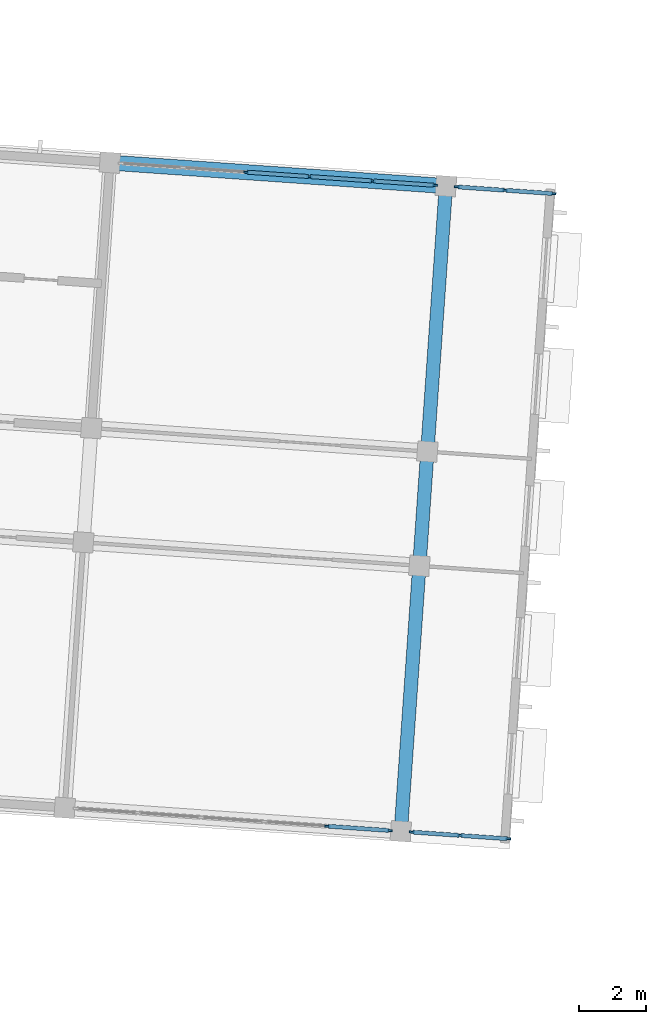
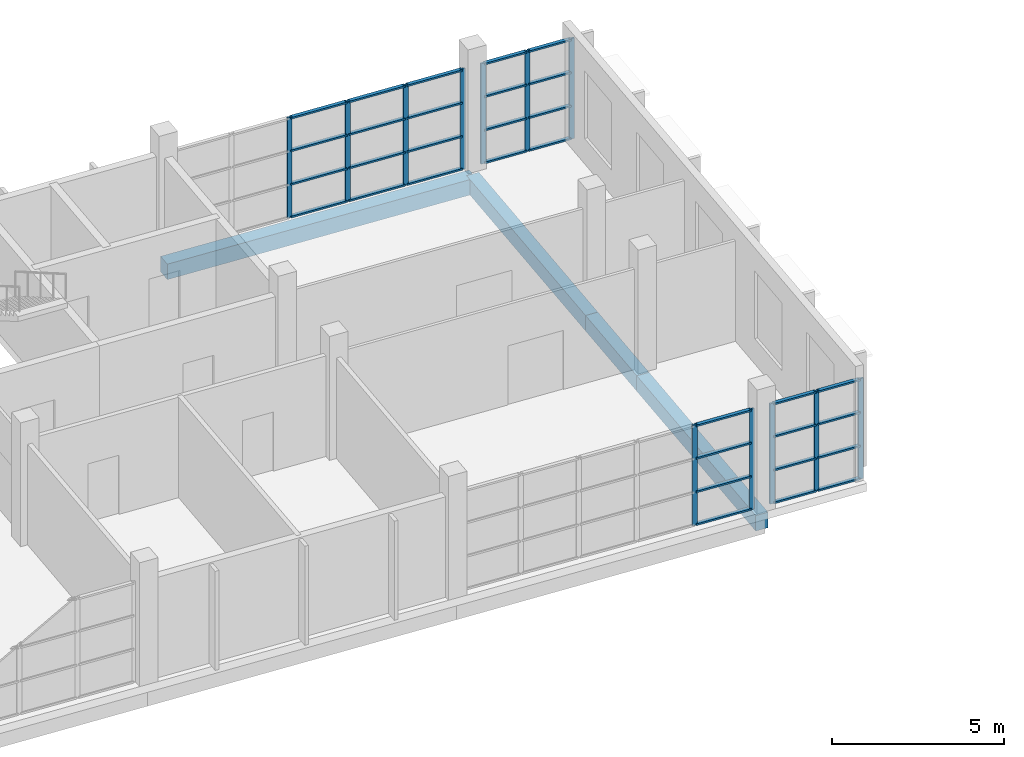
# One storey, part 46 of 115: 44 members, 4 beams, 4 elements without a shape of their own.
"""IFC4 building model written with IfcOpenShell, lengths in metres."""

from ifc_helpers import new_model, si_unit, direction, frame, origin, origin_2d, place, context, subcontext, project, spatial, rectangle, extrude, material, material_profile, profile_set, type_object, element, aggregate, save


model = new_model("IFC4")

# Units and contexts
model_context = context("Model", 3, precision=1e-05, world=origin(), true_north=direction((0.0, 1.0)))
body_context = subcontext(model_context, "Body", "Model", "MODEL_VIEW")
ifc_project = project(units=[si_unit("LENGTHUNIT", "METRE"), si_unit("AREAUNIT", "SQUARE_METRE"), si_unit("VOLUMEUNIT", "CUBIC_METRE"), si_unit("PLANEANGLEUNIT", "RADIAN"), si_unit("MASSUNIT", "GRAM", prefix="KILO")], contexts=[model_context])

# Site, building, storey
site_placement = place(None, origin())
site = spatial("IfcSite", under=ifc_project, at=site_placement, CompositionType="ELEMENT")
building_placement = place(site_placement, origin())
building = spatial("IfcBuilding", under=site, at=building_placement, Name="Windward Yard Aquatics Centre", CompositionType="ELEMENT")
storey_placement = place(building_placement, frame((0.0, 0.0, 5.0)))
storey = spatial("IfcBuildingStorey", under=building, at=storey_placement, Name="L01", CompositionType="ELEMENT", Elevation=5.0)

# Curtain wall, members
ifc_material_1 = material(Name="Aluminium curtain wall system", Category="aluminium")
curtain_wall_type = type_object("IfcCurtainWallType", Name="W curtain wall 1900", PredefinedType="NOTDEFINED", material=ifc_material_1)
curtain_wall_1_placement = place(storey_placement, origin())
curtain_wall_1 = element("IfcCurtainWall", 1, at=curtain_wall_1_placement, inside=storey, type_object=curtain_wall_type, Name="Wing south glazing L01 5", PredefinedType="NOTDEFINED")
ifc_material_2 = material(Name="Aluminium mullion", Category="aluminium")
ifc_material_profile_1 = material_profile(ifc_material_2, rectangle(XDim=0.06005859375, YDim=0.159912109375, at=origin_2d()), Name="AL 60x160")
ifc_profile_set_1 = profile_set([ifc_material_profile_1], Name="Aluminium mullion")
member_type_1 = type_object("IfcMemberType", Name="W CW mullion 60x160", PredefinedType="MULLION", material=ifc_profile_set_1)
member_1_placement = place(storey_placement, frame((165.54248046875, 112.831787109375, 0.0), z_axis=(0.0, 0.0, 1.0), x_axis=(0.069755340111, 0.997564129531, 0.0)))
member_1 = element("IfcMember", 2, at=member_1_placement, type_object=member_type_1, Name="WCW1 mullion 5", PredefinedType="MULLION", context=body_context, shape_type="SweptSolid", body=[
    extrude(rectangle(XDim=0.06005859375, YDim=0.159912109375, at=origin_2d()), origin(), (0.0, 0.0, 1.0), 3.570068359375),
])
member_2_placement = place(storey_placement, frame((167.387939453125, 112.70263671875, 0.0), z_axis=(0.0, 0.0, 1.0), x_axis=(0.069755340111, 0.997564129531, 0.0)))
member_2 = element("IfcMember", 3, at=member_2_placement, type_object=member_type_1, Name="WCW1 mullion 6", PredefinedType="MULLION", context=body_context, shape_type="SweptSolid", body=[
    extrude(rectangle(XDim=0.06005859375, YDim=0.159912109375, at=origin_2d()), origin(), (0.0, 0.0, 1.0), 3.570068359375),
])

curtain_wall_2_placement = place(storey_placement, origin())
curtain_wall_2 = element("IfcCurtainWall", 4, at=curtain_wall_2_placement, inside=storey, type_object=curtain_wall_type, Name="Wing south glazing L01 6", PredefinedType="NOTDEFINED")
member_3_placement = place(storey_placement, frame((168.046142578125, 112.65673828125, 0.0), z_axis=(0.0, 0.0, 1.0), x_axis=(0.069777075501, 0.997562609431, 0.0)))
member_3 = element("IfcMember", 5, at=member_3_placement, type_object=member_type_1, Name="WCW1 mullion 1", PredefinedType="MULLION", context=body_context, shape_type="SweptSolid", body=[
    extrude(rectangle(XDim=0.06005859375, YDim=0.159912109375, at=origin_2d()), origin(), (0.0, 0.0, 1.0), 3.570068359375),
])
member_4_placement = place(storey_placement, frame((169.475341796875, 112.556640625, 0.0), z_axis=(0.0, 0.0, 1.0), x_axis=(0.069777075501, 0.997562609431, 0.0)))
member_4 = element("IfcMember", 6, at=member_4_placement, type_object=member_type_1, Name="WCW1 mullion 2", PredefinedType="MULLION", context=body_context, shape_type="SweptSolid", body=[
    extrude(rectangle(XDim=0.06005859375, YDim=0.159912109375, at=origin_2d()), origin(), (0.0, 0.0, 1.0), 3.570068359375),
])
member_5_placement = place(storey_placement, frame((170.904296875, 112.456787109375, 0.0), z_axis=(0.0, 0.0, 1.0), x_axis=(0.069777075501, 0.997562609431, 0.0)))
member_5 = element("IfcMember", 7, at=member_5_placement, type_object=member_type_1, Name="WCW1 mullion 3", PredefinedType="MULLION", context=body_context, shape_type="SweptSolid", body=[
    extrude(rectangle(XDim=0.06005859375, YDim=0.159912109375, at=origin_2d()), origin(), (0.0, 0.0, 1.0), 3.570068359375),
])

curtain_wall_3_placement = place(storey_placement, origin())
curtain_wall_3 = element("IfcCurtainWall", 8, at=curtain_wall_3_placement, inside=storey, type_object=curtain_wall_type, Name="Wing north glazing L01 5", PredefinedType="NOTDEFINED")
member_6_placement = place(storey_placement, frame((163.130859375, 132.247314453125, 0.0), z_axis=(0.0, 0.0, 1.0), x_axis=(0.069755340111, 0.997564129531, 0.0)))
member_6 = element("IfcMember", 9, at=member_6_placement, type_object=member_type_1, Name="WCW1 mullion 3", PredefinedType="MULLION", context=body_context, shape_type="SweptSolid", body=[
    extrude(rectangle(XDim=0.06005859375, YDim=0.159912109375, at=origin_2d()), origin(), (0.0, 0.0, 1.0), 3.570068359375),
])
member_7_placement = place(storey_placement, frame((165.00634765625, 132.1162109375, 0.0), z_axis=(0.0, 0.0, 1.0), x_axis=(0.069755340111, 0.997564129531, 0.0)))
member_7 = element("IfcMember", 10, at=member_7_placement, type_object=member_type_1, Name="WCW1 mullion 4", PredefinedType="MULLION", context=body_context, shape_type="SweptSolid", body=[
    extrude(rectangle(XDim=0.06005859375, YDim=0.159912109375, at=origin_2d()), origin(), (0.0, 0.0, 1.0), 3.570068359375),
])
member_8_placement = place(storey_placement, frame((166.881591796875, 131.985107421875, 0.0), z_axis=(0.0, 0.0, 1.0), x_axis=(0.069755340111, 0.997564129531, 0.0)))
member_8 = element("IfcMember", 11, at=member_8_placement, type_object=member_type_1, Name="WCW1 mullion 5", PredefinedType="MULLION", context=body_context, shape_type="SweptSolid", body=[
    extrude(rectangle(XDim=0.06005859375, YDim=0.159912109375, at=origin_2d()), origin(), (0.0, 0.0, 1.0), 3.570068359375),
])
member_9_placement = place(storey_placement, frame((168.727294921875, 131.85595703125, 0.0), z_axis=(0.0, 0.0, 1.0), x_axis=(0.069755340111, 0.997564129531, 0.0)))
member_9 = element("IfcMember", 12, at=member_9_placement, type_object=member_type_1, Name="WCW1 mullion 6", PredefinedType="MULLION", context=body_context, shape_type="SweptSolid", body=[
    extrude(rectangle(XDim=0.06005859375, YDim=0.159912109375, at=origin_2d()), origin(), (0.0, 0.0, 1.0), 3.570068359375),
])

curtain_wall_4_placement = place(storey_placement, origin())
curtain_wall_4 = element("IfcCurtainWall", 13, at=curtain_wall_4_placement, inside=storey, type_object=curtain_wall_type, Name="Wing north glazing L01 6", PredefinedType="NOTDEFINED")
member_10_placement = place(storey_placement, frame((169.3857421875, 131.809814453125, 0.0), z_axis=(0.0, 0.0, 1.0), x_axis=(0.069745432765, 0.997564822259, 0.0)))
member_10 = element("IfcMember", 14, at=member_10_placement, type_object=member_type_1, Name="WCW1 mullion 1", PredefinedType="MULLION", context=body_context, shape_type="SweptSolid", body=[
    extrude(rectangle(XDim=0.06005859375, YDim=0.159912109375, at=origin_2d()), origin(), (0.0, 0.0, 1.0), 3.570068359375),
])
member_11_placement = place(storey_placement, frame((170.814697265625, 131.7099609375, 0.0), z_axis=(0.0, 0.0, 1.0), x_axis=(0.069745432765, 0.997564822259, 0.0)))
member_11 = element("IfcMember", 15, at=member_11_placement, type_object=member_type_1, Name="WCW1 mullion 2", PredefinedType="MULLION", context=body_context, shape_type="SweptSolid", body=[
    extrude(rectangle(XDim=0.06005859375, YDim=0.159912109375, at=origin_2d()), origin(), (0.0, 0.0, 1.0), 3.570068359375),
])
member_12_placement = place(storey_placement, frame((172.24365234375, 131.610107421875, 0.0), z_axis=(0.0, 0.0, 1.0), x_axis=(0.069745432765, 0.997564822259, 0.0)))
member_12 = element("IfcMember", 16, at=member_12_placement, type_object=member_type_1, Name="WCW1 mullion 3", PredefinedType="MULLION", context=body_context, shape_type="SweptSolid", body=[
    extrude(rectangle(XDim=0.06005859375, YDim=0.159912109375, at=origin_2d()), origin(), (0.0, 0.0, 1.0), 3.570068359375),
])

# Member
ifc_material_3 = material(Name="Aluminium transom", Category="aluminium")
ifc_material_profile_2 = material_profile(ifc_material_3, rectangle(XDim=0.1201171875, YDim=0.06005859375, at=origin_2d()), Name="AL 120x60")
ifc_profile_set_2 = profile_set([ifc_material_profile_2], Name="Aluminium transom")
member_type_2 = type_object("IfcMemberType", Name="W CW transom 120x60", PredefinedType="USERDEFINED", material=ifc_profile_set_2)
member_13_placement = place(storey_placement, frame((165.572265625, 112.82958984375, 0.030029296875), z_axis=(0.997568269116, -0.069696115056, 0.0), x_axis=(0.069696115056, 0.997568269116, 0.0)))
member_13 = element("IfcMember", 17, at=member_13_placement, type_object=member_type_2, Name="WCW1 transom 5.1", ObjectType="TRANSOM", PredefinedType="USERDEFINED", context=body_context, shape_type="SweptSolid", body=[
    extrude(rectangle(XDim=0.1201171875, YDim=0.06005859375, at=origin_2d()), origin(), (0.0, 0.0, 1.0), 1.7900390625),
])

member_14_placement = place(storey_placement, frame((165.572265625, 112.82958984375, 1.18994140625), z_axis=(0.997568269116, -0.069696115056, 0.0), x_axis=(0.069696115056, 0.997568269116, 0.0)))
member_14 = element("IfcMember", 18, at=member_14_placement, type_object=member_type_2, Name="WCW1 transom 5.2", ObjectType="TRANSOM", PredefinedType="USERDEFINED", context=body_context, shape_type="SweptSolid", body=[
    extrude(rectangle(XDim=0.1201171875, YDim=0.06005859375, at=origin_2d()), origin(), (0.0, 0.0, 1.0), 1.7900390625),
])

member_15_placement = place(storey_placement, frame((165.572265625, 112.82958984375, 2.3798828125), z_axis=(0.997568269116, -0.069696115056, 0.0), x_axis=(0.069696115056, 0.997568269116, 0.0)))
member_15 = element("IfcMember", 19, at=member_15_placement, type_object=member_type_2, Name="WCW1 transom 5.3", ObjectType="TRANSOM", PredefinedType="USERDEFINED", context=body_context, shape_type="SweptSolid", body=[
    extrude(rectangle(XDim=0.1201171875, YDim=0.06005859375, at=origin_2d()), origin(), (0.0, 0.0, 1.0), 1.7900390625),
])

member_16_placement = place(storey_placement, frame((165.572265625, 112.82958984375, 3.5400390625), z_axis=(0.997568269116, -0.069696115056, 0.0), x_axis=(0.069696115056, 0.997568269116, 0.0)))
member_16 = element("IfcMember", 20, at=member_16_placement, type_object=member_type_2, Name="WCW1 transom 5.4", ObjectType="TRANSOM", PredefinedType="USERDEFINED", context=body_context, shape_type="SweptSolid", body=[
    extrude(rectangle(XDim=0.1201171875, YDim=0.06005859375, at=origin_2d()), origin(), (0.0, 0.0, 1.0), 1.7900390625),
])

aggregate(curtain_wall_1, [member_1, member_2, member_13, member_14, member_15, member_16])

member_17_placement = place(storey_placement, frame((168.076171875, 112.654541015625, 0.030029296875), z_axis=(0.997565901215, -0.069729998801, 0.0), x_axis=(0.069729998801, 0.997565901215, 0.0)))
member_17 = element("IfcMember", 21, at=member_17_placement, type_object=member_type_2, Name="WCW1 transom 1.1", ObjectType="TRANSOM", PredefinedType="USERDEFINED", context=body_context, shape_type="SweptSolid", body=[
    extrude(rectangle(XDim=0.1201171875, YDim=0.06005859375, at=origin_2d()), origin(), (0.0, 0.0, 1.0), 1.37255859375),
])

member_18_placement = place(storey_placement, frame((168.076171875, 112.654541015625, 1.18994140625), z_axis=(0.997565901215, -0.069729998801, 0.0), x_axis=(0.069729998801, 0.997565901215, 0.0)))
member_18 = element("IfcMember", 22, at=member_18_placement, type_object=member_type_2, Name="WCW1 transom 1.2", ObjectType="TRANSOM", PredefinedType="USERDEFINED", context=body_context, shape_type="SweptSolid", body=[
    extrude(rectangle(XDim=0.1201171875, YDim=0.06005859375, at=origin_2d()), origin(), (0.0, 0.0, 1.0), 1.37255859375),
])

member_19_placement = place(storey_placement, frame((168.076171875, 112.654541015625, 2.3798828125), z_axis=(0.997565901215, -0.069729998801, 0.0), x_axis=(0.069729998801, 0.997565901215, 0.0)))
member_19 = element("IfcMember", 23, at=member_19_placement, type_object=member_type_2, Name="WCW1 transom 1.3", ObjectType="TRANSOM", PredefinedType="USERDEFINED", context=body_context, shape_type="SweptSolid", body=[
    extrude(rectangle(XDim=0.1201171875, YDim=0.06005859375, at=origin_2d()), origin(), (0.0, 0.0, 1.0), 1.37255859375),
])

member_20_placement = place(storey_placement, frame((168.076171875, 112.654541015625, 3.5400390625), z_axis=(0.997565901215, -0.069729998801, 0.0), x_axis=(0.069729998801, 0.997565901215, 0.0)))
member_20 = element("IfcMember", 24, at=member_20_placement, type_object=member_type_2, Name="WCW1 transom 1.4", ObjectType="TRANSOM", PredefinedType="USERDEFINED", context=body_context, shape_type="SweptSolid", body=[
    extrude(rectangle(XDim=0.1201171875, YDim=0.06005859375, at=origin_2d()), origin(), (0.0, 0.0, 1.0), 1.37255859375),
])

member_21_placement = place(storey_placement, frame((169.505126953125, 112.5546875, 0.030029296875), z_axis=(0.997565901215, -0.069729998801, 0.0), x_axis=(0.069729998801, 0.997565901215, 0.0)))
member_21 = element("IfcMember", 25, at=member_21_placement, type_object=member_type_2, Name="WCW1 transom 2.1", ObjectType="TRANSOM", PredefinedType="USERDEFINED", context=body_context, shape_type="SweptSolid", body=[
    extrude(rectangle(XDim=0.1201171875, YDim=0.06005859375, at=origin_2d()), origin(), (0.0, 0.0, 1.0), 1.37255859375),
])

member_22_placement = place(storey_placement, frame((169.505126953125, 112.5546875, 1.18994140625), z_axis=(0.997565901215, -0.069729998801, 0.0), x_axis=(0.069729998801, 0.997565901215, 0.0)))
member_22 = element("IfcMember", 26, at=member_22_placement, type_object=member_type_2, Name="WCW1 transom 2.2", ObjectType="TRANSOM", PredefinedType="USERDEFINED", context=body_context, shape_type="SweptSolid", body=[
    extrude(rectangle(XDim=0.1201171875, YDim=0.06005859375, at=origin_2d()), origin(), (0.0, 0.0, 1.0), 1.37255859375),
])

member_23_placement = place(storey_placement, frame((169.505126953125, 112.5546875, 2.3798828125), z_axis=(0.997565901215, -0.069729998801, 0.0), x_axis=(0.069729998801, 0.997565901215, 0.0)))
member_23 = element("IfcMember", 27, at=member_23_placement, type_object=member_type_2, Name="WCW1 transom 2.3", ObjectType="TRANSOM", PredefinedType="USERDEFINED", context=body_context, shape_type="SweptSolid", body=[
    extrude(rectangle(XDim=0.1201171875, YDim=0.06005859375, at=origin_2d()), origin(), (0.0, 0.0, 1.0), 1.37255859375),
])

member_24_placement = place(storey_placement, frame((169.505126953125, 112.5546875, 3.5400390625), z_axis=(0.997565901215, -0.069729998801, 0.0), x_axis=(0.069729998801, 0.997565901215, 0.0)))
member_24 = element("IfcMember", 28, at=member_24_placement, type_object=member_type_2, Name="WCW1 transom 2.4", ObjectType="TRANSOM", PredefinedType="USERDEFINED", context=body_context, shape_type="SweptSolid", body=[
    extrude(rectangle(XDim=0.1201171875, YDim=0.06005859375, at=origin_2d()), origin(), (0.0, 0.0, 1.0), 1.37255859375),
])

aggregate(curtain_wall_2, [member_3, member_4, member_5, member_17, member_18, member_19, member_20, member_21, member_22, member_23, member_24])

member_25_placement = place(storey_placement, frame((163.160888671875, 132.2451171875, 0.030029296875), z_axis=(0.997563824095, -0.069759707979, 0.0), x_axis=(0.069759707979, 0.997563824095, 0.0)))
member_25 = element("IfcMember", 29, at=member_25_placement, type_object=member_type_2, Name="WCW1 transom 3.1", ObjectType="TRANSOM", PredefinedType="USERDEFINED", context=body_context, shape_type="SweptSolid", body=[
    extrude(rectangle(XDim=0.1201171875, YDim=0.06005859375, at=origin_2d()), origin(), (0.0, 0.0, 1.0), 1.81982421875),
])

member_26_placement = place(storey_placement, frame((163.160888671875, 132.2451171875, 1.18994140625), z_axis=(0.997563824095, -0.069759707979, 0.0), x_axis=(0.069759707979, 0.997563824095, 0.0)))
member_26 = element("IfcMember", 30, at=member_26_placement, type_object=member_type_2, Name="WCW1 transom 3.2", ObjectType="TRANSOM", PredefinedType="USERDEFINED", context=body_context, shape_type="SweptSolid", body=[
    extrude(rectangle(XDim=0.1201171875, YDim=0.06005859375, at=origin_2d()), origin(), (0.0, 0.0, 1.0), 1.81982421875),
])

member_27_placement = place(storey_placement, frame((163.160888671875, 132.2451171875, 2.3798828125), z_axis=(0.997563824095, -0.069759707979, 0.0), x_axis=(0.069759707979, 0.997563824095, 0.0)))
member_27 = element("IfcMember", 31, at=member_27_placement, type_object=member_type_2, Name="WCW1 transom 3.3", ObjectType="TRANSOM", PredefinedType="USERDEFINED", context=body_context, shape_type="SweptSolid", body=[
    extrude(rectangle(XDim=0.1201171875, YDim=0.06005859375, at=origin_2d()), origin(), (0.0, 0.0, 1.0), 1.81982421875),
])

member_28_placement = place(storey_placement, frame((163.160888671875, 132.2451171875, 3.5400390625), z_axis=(0.997563824095, -0.069759707979, 0.0), x_axis=(0.069759707979, 0.997563824095, 0.0)))
member_28 = element("IfcMember", 32, at=member_28_placement, type_object=member_type_2, Name="WCW1 transom 3.4", ObjectType="TRANSOM", PredefinedType="USERDEFINED", context=body_context, shape_type="SweptSolid", body=[
    extrude(rectangle(XDim=0.1201171875, YDim=0.06005859375, at=origin_2d()), origin(), (0.0, 0.0, 1.0), 1.81982421875),
])

member_29_placement = place(storey_placement, frame((165.0361328125, 132.114013671875, 0.030029296875), z_axis=(0.99756447681, -0.06975037353, 0.0), x_axis=(0.06975037353, 0.99756447681, 0.0)))
member_29 = element("IfcMember", 33, at=member_29_placement, type_object=member_type_2, Name="WCW1 transom 4.1", ObjectType="TRANSOM", PredefinedType="USERDEFINED", context=body_context, shape_type="SweptSolid", body=[
    extrude(rectangle(XDim=0.1201171875, YDim=0.06005859375, at=origin_2d()), origin(), (0.0, 0.0, 1.0), 1.820068359375),
])

member_30_placement = place(storey_placement, frame((165.0361328125, 132.114013671875, 1.18994140625), z_axis=(0.99756447681, -0.06975037353, 0.0), x_axis=(0.06975037353, 0.99756447681, 0.0)))
member_30 = element("IfcMember", 34, at=member_30_placement, type_object=member_type_2, Name="WCW1 transom 4.2", ObjectType="TRANSOM", PredefinedType="USERDEFINED", context=body_context, shape_type="SweptSolid", body=[
    extrude(rectangle(XDim=0.1201171875, YDim=0.06005859375, at=origin_2d()), origin(), (0.0, 0.0, 1.0), 1.820068359375),
])

member_31_placement = place(storey_placement, frame((165.0361328125, 132.114013671875, 2.3798828125), z_axis=(0.99756447681, -0.06975037353, 0.0), x_axis=(0.06975037353, 0.99756447681, 0.0)))
member_31 = element("IfcMember", 35, at=member_31_placement, type_object=member_type_2, Name="WCW1 transom 4.3", ObjectType="TRANSOM", PredefinedType="USERDEFINED", context=body_context, shape_type="SweptSolid", body=[
    extrude(rectangle(XDim=0.1201171875, YDim=0.06005859375, at=origin_2d()), origin(), (0.0, 0.0, 1.0), 1.820068359375),
])

member_32_placement = place(storey_placement, frame((165.0361328125, 132.114013671875, 3.5400390625), z_axis=(0.99756447681, -0.06975037353, 0.0), x_axis=(0.06975037353, 0.99756447681, 0.0)))
member_32 = element("IfcMember", 36, at=member_32_placement, type_object=member_type_2, Name="WCW1 transom 4.4", ObjectType="TRANSOM", PredefinedType="USERDEFINED", context=body_context, shape_type="SweptSolid", body=[
    extrude(rectangle(XDim=0.1201171875, YDim=0.06005859375, at=origin_2d()), origin(), (0.0, 0.0, 1.0), 1.820068359375),
])

member_33_placement = place(storey_placement, frame((166.91162109375, 131.98291015625, 0.030029296875), z_axis=(0.997568269116, -0.069696115056, 0.0), x_axis=(0.069696115056, 0.997568269116, 0.0)))
member_33 = element("IfcMember", 37, at=member_33_placement, type_object=member_type_2, Name="WCW1 transom 5.1", ObjectType="TRANSOM", PredefinedType="USERDEFINED", context=body_context, shape_type="SweptSolid", body=[
    extrude(rectangle(XDim=0.1201171875, YDim=0.06005859375, at=origin_2d()), origin(), (0.0, 0.0, 1.0), 1.7900390625),
])

member_34_placement = place(storey_placement, frame((166.91162109375, 131.98291015625, 1.18994140625), z_axis=(0.997568269116, -0.069696115056, 0.0), x_axis=(0.069696115056, 0.997568269116, 0.0)))
member_34 = element("IfcMember", 38, at=member_34_placement, type_object=member_type_2, Name="WCW1 transom 5.2", ObjectType="TRANSOM", PredefinedType="USERDEFINED", context=body_context, shape_type="SweptSolid", body=[
    extrude(rectangle(XDim=0.1201171875, YDim=0.06005859375, at=origin_2d()), origin(), (0.0, 0.0, 1.0), 1.7900390625),
])

member_35_placement = place(storey_placement, frame((166.91162109375, 131.98291015625, 2.3798828125), z_axis=(0.997568269116, -0.069696115056, 0.0), x_axis=(0.069696115056, 0.997568269116, 0.0)))
member_35 = element("IfcMember", 39, at=member_35_placement, type_object=member_type_2, Name="WCW1 transom 5.3", ObjectType="TRANSOM", PredefinedType="USERDEFINED", context=body_context, shape_type="SweptSolid", body=[
    extrude(rectangle(XDim=0.1201171875, YDim=0.06005859375, at=origin_2d()), origin(), (0.0, 0.0, 1.0), 1.7900390625),
])

member_36_placement = place(storey_placement, frame((166.91162109375, 131.98291015625, 3.5400390625), z_axis=(0.997568269116, -0.069696115056, 0.0), x_axis=(0.069696115056, 0.997568269116, 0.0)))
member_36 = element("IfcMember", 40, at=member_36_placement, type_object=member_type_2, Name="WCW1 transom 5.4", ObjectType="TRANSOM", PredefinedType="USERDEFINED", context=body_context, shape_type="SweptSolid", body=[
    extrude(rectangle(XDim=0.1201171875, YDim=0.06005859375, at=origin_2d()), origin(), (0.0, 0.0, 1.0), 1.7900390625),
])

aggregate(curtain_wall_3, [member_6, member_7, member_8, member_9, member_25, member_26, member_27, member_28, member_29, member_30, member_31, member_32, member_33, member_34, member_35, member_36])

member_37_placement = place(storey_placement, frame((169.41552734375, 131.807861328125, 0.030029296875), z_axis=(0.997565901215, -0.069729998801, 0.0), x_axis=(0.069729998801, 0.997565901215, 0.0)))
member_37 = element("IfcMember", 41, at=member_37_placement, type_object=member_type_2, Name="WCW1 transom 1.1", ObjectType="TRANSOM", PredefinedType="USERDEFINED", context=body_context, shape_type="SweptSolid", body=[
    extrude(rectangle(XDim=0.1201171875, YDim=0.06005859375, at=origin_2d()), origin(), (0.0, 0.0, 1.0), 1.37255859375),
])

member_38_placement = place(storey_placement, frame((169.41552734375, 131.807861328125, 1.18994140625), z_axis=(0.997565901215, -0.069729998801, 0.0), x_axis=(0.069729998801, 0.997565901215, 0.0)))
member_38 = element("IfcMember", 42, at=member_38_placement, type_object=member_type_2, Name="WCW1 transom 1.2", ObjectType="TRANSOM", PredefinedType="USERDEFINED", context=body_context, shape_type="SweptSolid", body=[
    extrude(rectangle(XDim=0.1201171875, YDim=0.06005859375, at=origin_2d()), origin(), (0.0, 0.0, 1.0), 1.37255859375),
])

member_39_placement = place(storey_placement, frame((169.41552734375, 131.807861328125, 2.3798828125), z_axis=(0.997565901215, -0.069729998801, 0.0), x_axis=(0.069729998801, 0.997565901215, 0.0)))
member_39 = element("IfcMember", 43, at=member_39_placement, type_object=member_type_2, Name="WCW1 transom 1.3", ObjectType="TRANSOM", PredefinedType="USERDEFINED", context=body_context, shape_type="SweptSolid", body=[
    extrude(rectangle(XDim=0.1201171875, YDim=0.06005859375, at=origin_2d()), origin(), (0.0, 0.0, 1.0), 1.37255859375),
])

member_40_placement = place(storey_placement, frame((169.41552734375, 131.807861328125, 3.5400390625), z_axis=(0.997565901215, -0.069729998801, 0.0), x_axis=(0.069729998801, 0.997565901215, 0.0)))
member_40 = element("IfcMember", 44, at=member_40_placement, type_object=member_type_2, Name="WCW1 transom 1.4", ObjectType="TRANSOM", PredefinedType="USERDEFINED", context=body_context, shape_type="SweptSolid", body=[
    extrude(rectangle(XDim=0.1201171875, YDim=0.06005859375, at=origin_2d()), origin(), (0.0, 0.0, 1.0), 1.37255859375),
])

member_41_placement = place(storey_placement, frame((170.844482421875, 131.7080078125, 0.030029296875), z_axis=(0.997565901215, -0.069729998801, 0.0), x_axis=(0.069729998801, 0.997565901215, 0.0)))
member_41 = element("IfcMember", 45, at=member_41_placement, type_object=member_type_2, Name="WCW1 transom 2.1", ObjectType="TRANSOM", PredefinedType="USERDEFINED", context=body_context, shape_type="SweptSolid", body=[
    extrude(rectangle(XDim=0.1201171875, YDim=0.06005859375, at=origin_2d()), origin(), (0.0, 0.0, 1.0), 1.37255859375),
])

member_42_placement = place(storey_placement, frame((170.844482421875, 131.7080078125, 1.18994140625), z_axis=(0.997565901215, -0.069729998801, 0.0), x_axis=(0.069729998801, 0.997565901215, 0.0)))
member_42 = element("IfcMember", 46, at=member_42_placement, type_object=member_type_2, Name="WCW1 transom 2.2", ObjectType="TRANSOM", PredefinedType="USERDEFINED", context=body_context, shape_type="SweptSolid", body=[
    extrude(rectangle(XDim=0.1201171875, YDim=0.06005859375, at=origin_2d()), origin(), (0.0, 0.0, 1.0), 1.37255859375),
])

member_43_placement = place(storey_placement, frame((170.844482421875, 131.7080078125, 2.3798828125), z_axis=(0.997565901215, -0.069729998801, 0.0), x_axis=(0.069729998801, 0.997565901215, 0.0)))
member_43 = element("IfcMember", 47, at=member_43_placement, type_object=member_type_2, Name="WCW1 transom 2.3", ObjectType="TRANSOM", PredefinedType="USERDEFINED", context=body_context, shape_type="SweptSolid", body=[
    extrude(rectangle(XDim=0.1201171875, YDim=0.06005859375, at=origin_2d()), origin(), (0.0, 0.0, 1.0), 1.37255859375),
])

member_44_placement = place(storey_placement, frame((170.844482421875, 131.7080078125, 3.5400390625), z_axis=(0.997565901215, -0.069729998801, 0.0), x_axis=(0.069729998801, 0.997565901215, 0.0)))
member_44 = element("IfcMember", 48, at=member_44_placement, type_object=member_type_2, Name="WCW1 transom 2.4", ObjectType="TRANSOM", PredefinedType="USERDEFINED", context=body_context, shape_type="SweptSolid", body=[
    extrude(rectangle(XDim=0.1201171875, YDim=0.06005859375, at=origin_2d()), origin(), (0.0, 0.0, 1.0), 1.37255859375),
])

aggregate(curtain_wall_4, [member_10, member_11, member_12, member_37, member_38, member_39, member_40, member_41, member_42, member_43, member_44])

# Beams
ifc_material_4 = material(Name="Concrete C40/50", Category="concrete")
ifc_material_profile_3 = material_profile(ifc_material_4, rectangle(XDim=0.39990234375, YDim=0.550048828125, at=origin_2d()), Name="RC 400x550")
ifc_profile_set_3 = profile_set([ifc_material_profile_3], Name="Concrete C40/50")
beam_type_1 = type_object("IfcBeamType", Name="W RC 400x550 beam Concrete C40/50", PredefinedType="BEAM", material=ifc_profile_set_3)
beam_1_placement = place(storey_placement, frame((167.717041015625, 112.6796875, -0.554931640625), z_axis=(0.0697491702, 0.997564560947, 0.0), x_axis=(-0.997564560947, 0.0697491702, 0.0)))
element("IfcBeam", 49, at=beam_1_placement, inside=storey, type_object=beam_type_1, Name="W.BV.L01.7.A", PredefinedType="BEAM", context=body_context, shape_type="SweptSolid", body=[
    extrude(rectangle(XDim=0.39990234375, YDim=0.550048828125, at=origin_2d()), origin(), (0.0, 0.0, 1.0), 7.900146484375),
])
beam_2_placement = place(storey_placement, frame((168.26806640625, 120.560546875, -0.554931640625), z_axis=(0.069797686069, 0.997561167558, 0.0), x_axis=(-0.997561167558, 0.069797686069, 0.0)))
element("IfcBeam", 50, at=beam_2_placement, inside=storey, type_object=beam_type_1, Name="W.BV.L01.7.B", PredefinedType="BEAM", context=body_context, shape_type="SweptSolid", body=[
    extrude(rectangle(XDim=0.39990234375, YDim=0.550048828125, at=origin_2d()), origin(), (0.0, 0.0, 1.0), 3.39990234375),
])
beam_3_placement = place(storey_placement, frame((168.50537109375, 123.9521484375, -0.554931640625), z_axis=(0.0697491702, 0.997564560947, 0.0), x_axis=(-0.997564560947, 0.0697491702, 0.0)))
element("IfcBeam", 51, at=beam_3_placement, inside=storey, type_object=beam_type_1, Name="W.BV.L01.7.C", PredefinedType="BEAM", context=body_context, shape_type="SweptSolid", body=[
    extrude(rectangle(XDim=0.39990234375, YDim=0.550048828125, at=origin_2d()), origin(), (0.0, 0.0, 1.0), 7.900146484375),
])
ifc_material_profile_4 = material_profile(ifc_material_4, rectangle(XDim=0.449951171875, YDim=0.550048828125, at=origin_2d()), Name="RC 450x550")
ifc_profile_set_4 = profile_set([ifc_material_profile_4], Name="Concrete C40/50")
beam_type_2 = type_object("IfcBeamType", Name="W RC 450x550 beam Concrete C40/50", PredefinedType="BEAM", material=ifc_profile_set_4)
beam_4_placement = place(storey_placement, frame((159.080810546875, 132.530517578125, -0.554931640625), z_axis=(0.997564406228, -0.069751382981, 0.0), x_axis=(0.069751382981, 0.997564406228, 0.0)))
element("IfcBeam", 52, at=beam_4_placement, inside=storey, type_object=beam_type_2, Name="W.BU.L01.4.6", PredefinedType="BEAM", context=body_context, shape_type="SweptSolid", body=[
    extrude(rectangle(XDim=0.449951171875, YDim=0.550048828125, at=origin_2d()), origin(), (0.0, 0.0, 1.0), 10.0),
])

save(model, "model.ifc")
